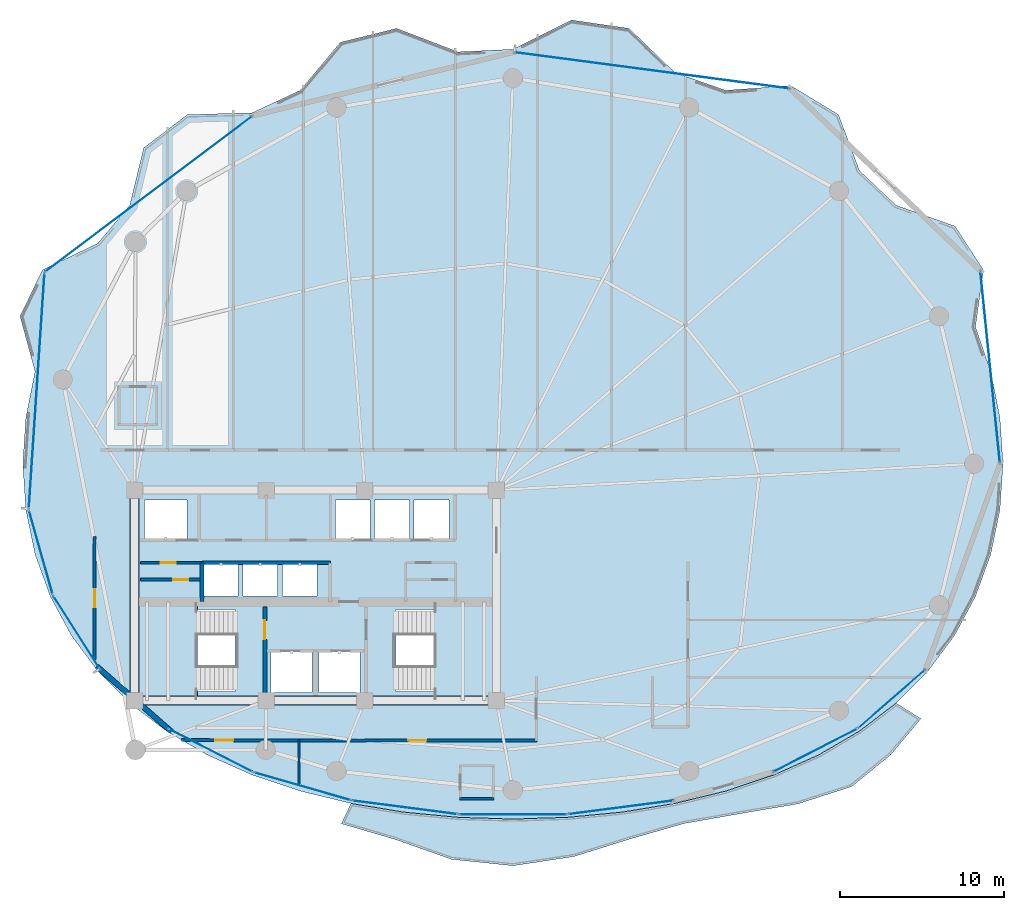
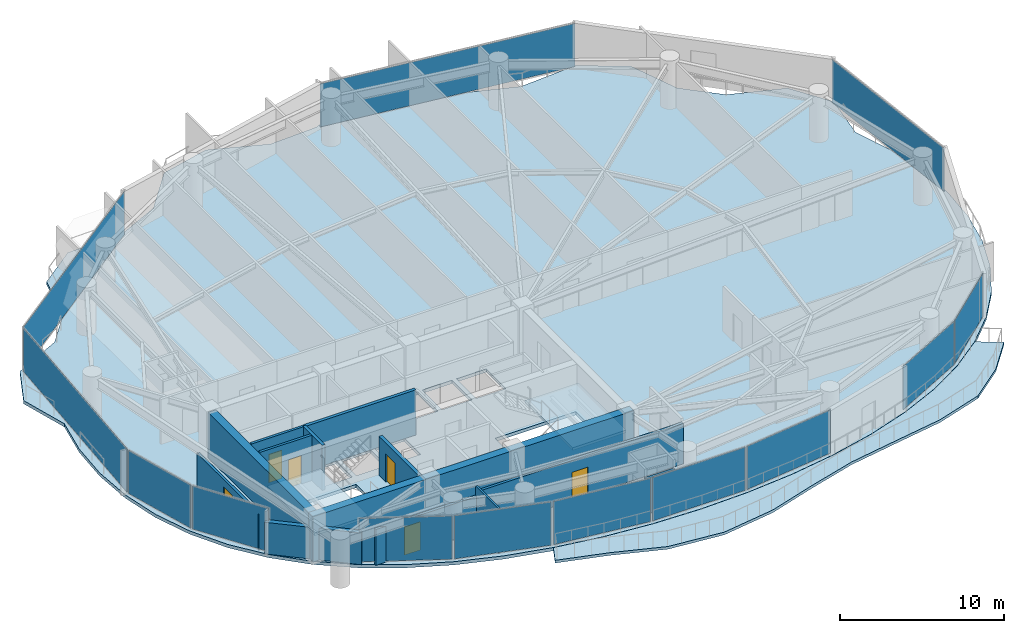
# One storey, part 24 of 30: 13 plates, 13 walls, 6 doors, 4 slabs, 6 openings, 15 elements without a shape of their own.
"""IFC4 building model written with IfcOpenShell, lengths in metres."""

from ifc_helpers import new_model, si_unit, direction, frame, frame_2d, origin, origin_2d, place, context, subcontext, project, spatial, polyline, rectangle, outline, extrude, material, layer, layer_set, type_object, element, fill, aggregate, save


model = new_model("IFC4")

# Units and contexts
model_context = context("Model", 3, precision=1e-05, world=origin(), true_north=direction((0.0, 1.0)))
body_context = subcontext(model_context, "Body", "Model", "MODEL_VIEW")
ifc_project = project(units=[si_unit("LENGTHUNIT", "METRE"), si_unit("AREAUNIT", "SQUARE_METRE"), si_unit("VOLUMEUNIT", "CUBIC_METRE"), si_unit("PLANEANGLEUNIT", "RADIAN"), si_unit("MASSUNIT", "GRAM", prefix="KILO")], contexts=[model_context])

# Site, building, storey
site_placement = place(None, origin())
site = spatial("IfcSite", under=ifc_project, at=site_placement, CompositionType="ELEMENT")
building_placement = place(site_placement, origin())
building = spatial("IfcBuilding", under=site, at=building_placement, Name="Kazevale Care Tower and Concert Hall", CompositionType="ELEMENT")
storey_placement = place(building_placement, frame((0.0, 0.0, 113.39990234375)))
storey = spatial("IfcBuildingStorey", under=building, at=storey_placement, Name="L29", CompositionType="ELEMENT", Elevation=113.39990234375)

# Curtain wall, plate
ifc_material_1 = material(Name="Aluminium 6063-T6 and Low-E Glass", Category="aluminium")
ifc_layer_1 = layer(ifc_material_1, 0.179931640625)
ifc_layer_set_1 = layer_set([ifc_layer_1], Name="Aluminium 6063-T6 and Low-E Glass")
curtain_wall_type_1 = type_object("IfcCurtainWallType", Name="Convex Recessed Sunroom Curtain Wall CW-3", PredefinedType="NOTDEFINED", material=ifc_layer_set_1)
curtain_wall_1_placement = place(storey_placement, origin())
curtain_wall_1 = element("IfcCurtainWall", 1, at=curtain_wall_1_placement, inside=storey, type_object=curtain_wall_type_1, Name="cw:L29:f14", PredefinedType="NOTDEFINED")
ifc_material_2 = material(Name="Low-E Laminated Glass", Category="glass")
ifc_layer_2 = layer(ifc_material_2, 0.028076171875)
ifc_layer_set_2 = layer_set([ifc_layer_2], Name="Low-E Laminated Glass")
plate_type_1 = type_object("IfcPlateType", Name="CW-3 Low-E Glazing Panel 28mm", PredefinedType="CURTAIN_PANEL", material=ifc_layer_set_2)
plate_1_placement = place(storey_placement, frame((22.8583984375, 54.402099609375, 0.0751953125), z_axis=(0.0, 0.0, 1.0), x_axis=(0.799400950952, 0.600797902474, 0.0)))
plate_1 = element("IfcPlate", 2, at=plate_1_placement, type_object=plate_type_1, Name="CW-3 panel 1.1", PredefinedType="CURTAIN_PANEL", context=body_context, shape_type="SweptSolid", body=[
    extrude(rectangle(XDim=15.685546875, YDim=0.028076171875, at=origin_2d()), origin(), (0.0, 0.0, 1.0), 3.2099609375),
])
aggregate(curtain_wall_1, [plate_1])

curtain_wall_2_placement = place(storey_placement, origin())
curtain_wall_2 = element("IfcCurtainWall", 3, at=curtain_wall_2_placement, inside=storey, type_object=curtain_wall_type_1, Name="cw:L29:f16", PredefinedType="NOTDEFINED")
plate_2_placement = place(storey_placement, frame((53.447509765625, 61.91357421875, 0.0751953125), z_axis=(0.0, 0.0, 1.0), x_axis=(0.991405823257, -0.130822374277, 0.0)))
plate_2 = element("IfcPlate", 4, at=plate_2_placement, type_object=plate_type_1, Name="CW-3 panel 1.1", PredefinedType="CURTAIN_PANEL", context=body_context, shape_type="SweptSolid", body=[
    extrude(rectangle(XDim=16.796630859375, YDim=0.028076171875, at=origin_2d()), origin(), (0.0, 0.0, 1.0), 3.2099609375),
])
aggregate(curtain_wall_2, [plate_2])

ifc_layer_3 = layer(ifc_material_1, 0.179931640625)
ifc_layer_set_3 = layer_set([ifc_layer_3], Name="Aluminium 6063-T6 and Low-E Glass")
curtain_wall_type_2 = type_object("IfcCurtainWallType", Name="Waist & Upper Residential Curtain Wall CW-4", PredefinedType="NOTDEFINED", material=ifc_layer_set_3)
curtain_wall_3_placement = place(storey_placement, origin())
curtain_wall_3 = element("IfcCurtainWall", 5, at=curtain_wall_3_placement, inside=storey, type_object=curtain_wall_type_2, Name="cw:L29:f11", PredefinedType="NOTDEFINED")
ifc_layer_4 = layer(ifc_material_2, 0.030029296875)
ifc_layer_set_4 = layer_set([ifc_layer_4], Name="Low-E Laminated Glass")
plate_type_2 = type_object("IfcPlateType", Name="CW-4 Low-E Glazing Panel 30mm", PredefinedType="CURTAIN_PANEL", material=ifc_layer_set_4)
plate_3_placement = place(storey_placement, frame((18.470458984375, 27.75244140625, 0.080078125), z_axis=(0.0, 0.0, 1.0), x_axis=(-0.537239193981, 0.843429930967, 0.0)))
plate_3 = element("IfcPlate", 6, at=plate_3_placement, type_object=plate_type_2, Name="CW-4 panel 1.1", PredefinedType="CURTAIN_PANEL", context=body_context, shape_type="SweptSolid", body=[
    extrude(rectangle(XDim=5.176513671875, YDim=0.030029296875, at=origin_2d()), origin(), (0.0, 0.0, 1.0), 3.199951171875),
])
aggregate(curtain_wall_3, [plate_3])

curtain_wall_4_placement = place(storey_placement, origin())
curtain_wall_4 = element("IfcCurtainWall", 7, at=curtain_wall_4_placement, inside=storey, type_object=curtain_wall_type_2, Name="cw:L29:f12", PredefinedType="NOTDEFINED")
plate_4_placement = place(storey_placement, frame((16.301513671875, 32.612548828125, 0.080078125), z_axis=(0.0, 0.0, 1.0), x_axis=(-0.271284948278, 0.962499078876, 0.0)))
plate_4 = element("IfcPlate", 8, at=plate_4_placement, type_object=plate_type_2, Name="CW-4 panel 1.1", PredefinedType="CURTAIN_PANEL", context=body_context, shape_type="SweptSolid", body=[
    extrude(rectangle(XDim=5.262451171875, YDim=0.030029296875, at=origin_2d()), origin(), (0.0, 0.0, 1.0), 3.199951171875),
])
aggregate(curtain_wall_4, [plate_4])

curtain_wall_5_placement = place(storey_placement, origin())
curtain_wall_5 = element("IfcCurtainWall", 9, at=curtain_wall_5_placement, inside=storey, type_object=curtain_wall_type_2, Name="cw:L29:f13", PredefinedType="NOTDEFINED")
plate_5_placement = place(storey_placement, frame((16.047607421875, 42.43359375, 0.080078125), z_axis=(0.0, 0.0, 1.0), x_axis=(0.06662002475, 0.997778418439, 0.0)))
plate_5 = element("IfcPlate", 10, at=plate_5_placement, type_object=plate_type_2, Name="CW-4 panel 1.1", PredefinedType="CURTAIN_PANEL", context=body_context, shape_type="SweptSolid", body=[
    extrude(rectangle(XDim=14.295166015625, YDim=0.030029296875, at=origin_2d()), origin(), (0.0, 0.0, 1.0), 3.199951171875),
])
aggregate(curtain_wall_5, [plate_5])

curtain_wall_6_placement = place(storey_placement, origin())
curtain_wall_6 = element("IfcCurtainWall", 11, at=curtain_wall_6_placement, inside=storey, type_object=curtain_wall_type_2, Name="cw:L29:f18", PredefinedType="NOTDEFINED")
plate_6_placement = place(storey_placement, frame((74.01904296875, 43.868896484375, 0.080078125), z_axis=(0.0, 0.0, 1.0), x_axis=(0.101869730126, -0.994797747326, 0.0)))
plate_6 = element("IfcPlate", 12, at=plate_6_placement, type_object=plate_type_2, Name="CW-4 panel 1.1", PredefinedType="CURTAIN_PANEL", context=body_context, shape_type="SweptSolid", body=[
    extrude(rectangle(XDim=11.639404296875, YDim=0.030029296875, at=origin_2d()), origin(), (0.0, 0.0, 1.0), 3.199951171875),
])
aggregate(curtain_wall_6, [plate_6])

ifc_layer_5 = layer(ifc_material_1, 0.179931640625)
ifc_layer_set_5 = layer_set([ifc_layer_5], Name="Aluminium 6063-T6 and Low-E Glass")
curtain_wall_type_3 = type_object("IfcCurtainWallType", Name="Sheltered Concave Balcony Curtain Wall CW-5", PredefinedType="NOTDEFINED", material=ifc_layer_set_5)
curtain_wall_7_placement = place(storey_placement, origin())
curtain_wall_7 = element("IfcCurtainWall", 13, at=curtain_wall_7_placement, inside=storey, type_object=curtain_wall_type_3, Name="cw:L29:f02", PredefinedType="NOTDEFINED")
ifc_layer_6 = layer(ifc_material_2, 0.02587890625)
ifc_layer_set_6 = layer_set([ifc_layer_6], Name="Low-E Laminated Glass")
plate_type_3 = type_object("IfcPlateType", Name="CW-5 Low-E Glazing Panel 26mm", PredefinedType="CURTAIN_PANEL", material=ifc_layer_set_6)
plate_7_placement = place(storey_placement, frame((68.033447265625, 23.699951171875, 0.0751953125), z_axis=(0.0, 0.0, 1.0), x_axis=(-0.753062779437, -0.657948668382, 0.0)))
plate_7 = element("IfcPlate", 14, at=plate_7_placement, type_object=plate_type_3, Name="CW-5 panel 1.1", PredefinedType="CURTAIN_PANEL", context=body_context, shape_type="SweptSolid", body=[
    extrude(rectangle(XDim=5.32763671875, YDim=0.02587890625, at=origin_2d()), origin(), (0.0, 0.0, 1.0), 3.2099609375),
])
aggregate(curtain_wall_7, [plate_7])

curtain_wall_8_placement = place(storey_placement, origin())
curtain_wall_8 = element("IfcCurtainWall", 15, at=curtain_wall_8_placement, inside=storey, type_object=curtain_wall_type_3, Name="cw:L29:f03", PredefinedType="NOTDEFINED")
plate_8_placement = place(storey_placement, frame((63.3798828125, 20.571533203125, 0.0751953125), z_axis=(0.0, 0.0, 1.0), x_axis=(-0.890126646051, -0.455713236575, 0.0)))
plate_8 = element("IfcPlate", 16, at=plate_8_placement, type_object=plate_type_3, Name="CW-5 panel 1.1", PredefinedType="CURTAIN_PANEL", context=body_context, shape_type="SweptSolid", body=[
    extrude(rectangle(XDim=5.671630859375, YDim=0.02587890625, at=origin_2d()), origin(), (0.0, 0.0, 1.0), 3.2099609375),
])
aggregate(curtain_wall_8, [plate_8])

curtain_wall_9_placement = place(storey_placement, origin())
curtain_wall_9 = element("IfcCurtainWall", 17, at=curtain_wall_9_placement, inside=storey, type_object=curtain_wall_type_3, Name="cw:L29:f05", PredefinedType="NOTDEFINED")
plate_9_placement = place(storey_placement, frame((51.5654296875, 17.1044921875, 0.0751953125), z_axis=(0.0, 0.0, 1.0), x_axis=(-0.991685519364, -0.12868500567, 0.0)))
plate_9 = element("IfcPlate", 18, at=plate_9_placement, type_object=plate_type_3, Name="CW-5 panel 1.1", PredefinedType="CURTAIN_PANEL", context=body_context, shape_type="SweptSolid", body=[
    extrude(rectangle(XDim=6.38525390625, YDim=0.02587890625, at=origin_2d()), origin(), (0.0, 0.0, 1.0), 3.2099609375),
])
aggregate(curtain_wall_9, [plate_9])

curtain_wall_10_placement = place(storey_placement, origin())
curtain_wall_10 = element("IfcCurtainWall", 19, at=curtain_wall_10_placement, inside=storey, type_object=curtain_wall_type_3, Name="cw:L29:f06", PredefinedType="NOTDEFINED")
plate_10_placement = place(storey_placement, frame((45.0, 16.68408203125, 0.0751953125), z_axis=(0.0, 0.0, 1.0), x_axis=(-1.0, 0.0, 0.0)))
plate_10 = element("IfcPlate", 20, at=plate_10_placement, type_object=plate_type_3, Name="CW-5 panel 1.1", PredefinedType="CURTAIN_PANEL", context=body_context, shape_type="SweptSolid", body=[
    extrude(rectangle(XDim=6.5, YDim=0.02587890625, at=origin_2d()), origin(), (0.0, 0.0, 1.0), 3.2099609375),
])
aggregate(curtain_wall_10, [plate_10])

curtain_wall_11_placement = place(storey_placement, origin())
curtain_wall_11 = element("IfcCurtainWall", 21, at=curtain_wall_11_placement, inside=storey, type_object=curtain_wall_type_3, Name="cw:L29:f07", PredefinedType="NOTDEFINED")
plate_11_placement = place(storey_placement, frame((38.4345703125, 17.1044921875, 0.0751953125), z_axis=(0.0, 0.0, 1.0), x_axis=(-0.991685519364, 0.12868500567, 0.0)))
plate_11 = element("IfcPlate", 22, at=plate_11_placement, type_object=plate_type_3, Name="CW-5 panel 1.1", PredefinedType="CURTAIN_PANEL", context=body_context, shape_type="SweptSolid", body=[
    extrude(rectangle(XDim=6.38525390625, YDim=0.02587890625, at=origin_2d()), origin(), (0.0, 0.0, 1.0), 3.2099609375),
])
aggregate(curtain_wall_11, [plate_11])

curtain_wall_12_placement = place(storey_placement, origin())
curtain_wall_12 = element("IfcCurtainWall", 23, at=curtain_wall_12_placement, inside=storey, type_object=curtain_wall_type_3, Name="cw:L29:f08", PredefinedType="NOTDEFINED")
plate_12_placement = place(storey_placement, frame((32.202392578125, 18.385009765625, 0.0751953125), z_axis=(0.0, 0.0, 1.0), x_axis=(-0.961074102639, 0.276290733172, 0.0)))
plate_12 = element("IfcPlate", 24, at=plate_12_placement, type_object=plate_type_3, Name="CW-5 panel 1.1", PredefinedType="CURTAIN_PANEL", context=body_context, shape_type="SweptSolid", body=[
    extrude(rectangle(XDim=6.075439453125, YDim=0.02587890625, at=origin_2d()), origin(), (0.0, 0.0, 1.0), 3.2099609375),
])
aggregate(curtain_wall_12, [plate_12])

curtain_wall_13_placement = place(storey_placement, origin())
curtain_wall_13 = element("IfcCurtainWall", 25, at=curtain_wall_13_placement, inside=storey, type_object=curtain_wall_type_3, Name="cw:L29:f09", PredefinedType="NOTDEFINED")
plate_13_placement = place(storey_placement, frame((26.6201171875, 20.571533203125, 0.0751953125), z_axis=(0.0, 0.0, 1.0), x_axis=(-0.890126646051, 0.455713236575, 0.0)))
plate_13 = element("IfcPlate", 26, at=plate_13_placement, type_object=plate_type_3, Name="CW-5 panel 1.1", PredefinedType="CURTAIN_PANEL", context=body_context, shape_type="SweptSolid", body=[
    extrude(rectangle(XDim=5.671630859375, YDim=0.02587890625, at=origin_2d()), origin(), (0.0, 0.0, 1.0), 3.2099609375),
])
aggregate(curtain_wall_13, [plate_13])

# Slab
ifc_material_3 = material(Name="Concrete C40", Category="concrete")
ifc_layer_7 = layer(ifc_material_3, 0.199951171875)
ifc_layer_set_7 = layer_set([ifc_layer_7], Name="Concrete C40")
slab_type_1 = type_object("IfcSlabType", Name="Sinusoidal Concave Balcony Slab 200", PredefinedType="USERDEFINED", material=ifc_layer_set_7)
slab_1_placement = place(storey_placement, frame((0.0, 0.0, -0.199951171875)))
element("IfcSlab", 27, at=slab_1_placement, inside=storey, type_object=slab_type_1, Name="slab:L29:bal", ObjectType="BALCONY", PredefinedType="USERDEFINED", context=body_context, shape_type="SweptSolid", body=[
    extrude(outline(polyline([(69.811279296875, 22.501708984375), (67.960205078125, 20.29150390625), (65.59619140625, 18.37060546875), (62.32666015625, 17.3203125), (58.822021484375, 16.72509765625), (55.42333984375, 16.12890625), (52.140625, 15.191162109375), (48.707275390625, 14.11572265625), (45.0, 13.556884765625), (41.2666015625, 13.94775390625), (37.848388671875, 15.156494140625), (34.56982421875, 16.114501953125), (35.155517578125, 17.343505859375), (35.15673828125, 17.34326171875), (38.368408203125, 16.81396484375), (41.6630859375, 16.49951171875), (45.0, 16.39501953125), (48.3369140625, 16.49951171875), (51.631591796875, 16.81396484375), (54.84326171875, 17.34326171875), (57.93115234375, 18.09375), (60.8564453125, 19.07275390625), (63.582275390625, 20.28759765625), (66.07470703125, 21.74365234375), (68.302001953125, 23.442626953125), (68.302978515625, 23.44384765625), (69.811279296875, 22.501708984375)])), origin(), (0.0, 0.0, 1.0), 0.199951171875),
])

# Stair, slab
stair_type = type_object("IfcStairType", Name="Exit Stair Assembly ST1-Z2", PredefinedType="HALF_TURN_STAIR", material=ifc_material_3)
stair_1_placement = place(storey_placement, origin())
stair_1 = element("IfcStair", 28, at=stair_1_placement, inside=storey, type_object=stair_type, Name="stair:L29:ST1", PredefinedType="HALF_TURN_STAIR")
ifc_layer_8 = layer(ifc_material_3, 0.199951171875)
ifc_layer_set_8 = layer_set([ifc_layer_8], Name="Concrete C40")
slab_type_2 = type_object("IfcSlabType", Name="Stair Half-Landing Slab ST1-Z2", PredefinedType="LANDING", material=ifc_layer_set_8)
slab_2_placement = place(storey_placement, frame((0.0, 0.0, 1.60009765625)))
slab_2 = element("IfcSlab", 29, at=slab_2_placement, type_object=slab_type_2, Name="ST1-Z2 landing 1", PredefinedType="LANDING", context=body_context, shape_type="SweptSolid", body=[
    extrude(outline(polyline([(22.050048828125, 23.699951171875), (25.81005859375, 23.699951171875), (25.81005859375, 29.5), (22.050048828125, 29.5), (22.050048828125, 23.699951171875)])), origin(), (0.0, 0.0, 1.0), 0.199951171875),
])
aggregate(stair_1, [slab_2])

stair_2_placement = place(storey_placement, origin())
stair_2 = element("IfcStair", 30, at=stair_2_placement, inside=storey, type_object=stair_type, Name="stair:L29:ST2", PredefinedType="HALF_TURN_STAIR")
slab_3_placement = place(storey_placement, frame((0.0, 0.0, 1.60009765625)))
slab_3 = element("IfcSlab", 31, at=slab_3_placement, type_object=slab_type_2, Name="ST1-Z2 landing 1", PredefinedType="LANDING", context=body_context, shape_type="SweptSolid", body=[
    extrude(outline(polyline([(40.18994140625, 23.699951171875), (43.949951171875, 23.699951171875), (43.949951171875, 29.5), (40.18994140625, 29.5), (40.18994140625, 23.699951171875)])), origin(), (0.0, 0.0, 1.0), 0.199951171875),
])
aggregate(stair_2, [slab_3])

# Slab
ifc_layer_9 = layer(ifc_material_3, 0.239990234375)
ifc_layer_set_9 = layer_set([ifc_layer_9], Name="Concrete C40")
slab_type_3 = type_object("IfcSlabType", Name="Tower Typical Floor Slab 240", PredefinedType="FLOOR", material=ifc_layer_set_9)
slab_4_placement = place(storey_placement, frame((0.0, 0.0, -0.239990234375)))
element("IfcSlab", 32, at=slab_4_placement, inside=storey, type_object=slab_type_3, Name="slab:L29:tw:1", PredefinedType="FLOOR", context=body_context, shape_type="SweptSolid", body=[
    extrude(outline(polyline([(74.800048828125, 38.0), (74.612548828125, 40.821533203125), (74.052978515625, 43.607421875), (73.127685546875, 46.322998046875), (73.605712890625, 49.77978515625), (71.883544921875, 52.444580078125), (68.298583984375, 53.7119140625), (66.07177734375, 55.819091796875), (64.7958984375, 59.226806640625), (61.89208984375, 60.988525390625), (57.9296875, 60.704345703125), (54.84228515625, 61.785888671875), (52.06494140625, 64.46923828125), (48.554931640625, 64.979248046875), (45.0, 63.199951171875), (41.66357421875, 63.04150390625), (37.93505859375, 64.46923828125), (34.513671875, 63.62646484375), (32.0703125, 60.704345703125), (29.1455078125, 59.33740234375), (25.2041015625, 59.226806640625), (22.54931640625, 57.197998046875), (21.701416015625, 53.7119140625), (19.767578125, 51.4072265625), (16.394287109375, 49.77978515625), (15.03173828125, 46.967041015625), (15.947021484375, 43.607421875), (15.387451171875, 40.821533203125), (15.199951171875, 38.0), (15.387451171875, 35.197265625), (15.947021484375, 32.490234375), (16.872314453125, 29.92919921875), (18.151123046875, 27.551513671875), (19.767578125, 25.384521484375), (21.701416015625, 23.446533203125), (23.92822265625, 21.747802734375), (26.419921875, 20.2919921875), (29.1455078125, 19.077392578125), (32.0703125, 18.098388671875), (35.15771484375, 17.34814453125), (38.368896484375, 16.819091796875), (41.66357421875, 16.50439453125), (45.0, 16.39990234375), (48.33642578125, 16.50439453125), (51.631103515625, 16.819091796875), (54.84228515625, 17.34814453125), (57.9296875, 18.098388671875), (60.8544921875, 19.077392578125), (63.580078125, 20.2919921875), (66.07177734375, 21.747802734375), (68.298583984375, 23.446533203125), (70.232421875, 25.384521484375), (71.848876953125, 27.551513671875), (73.127685546875, 29.92919921875), (74.052978515625, 32.490234375), (74.612548828125, 35.197265625), (74.800048828125, 38.0)]), holes=[polyline([(22.449951171875, 24.14990234375), (28.110107421875, 24.14990234375), (28.110107421875, 29.14990234375), (22.449951171875, 29.14990234375), (22.449951171875, 24.14990234375)]), polyline([(37.889892578125, 24.14990234375), (43.550048828125, 24.14990234375), (43.550048828125, 29.14990234375), (37.889892578125, 29.14990234375), (37.889892578125, 24.14990234375)]), polyline([(30.300048828125, 24.10009765625), (32.800048828125, 24.10009765625), (32.800048828125, 26.60009765625), (30.300048828125, 26.60009765625), (30.300048828125, 24.10009765625)]), polyline([(33.199951171875, 24.10009765625), (35.699951171875, 24.10009765625), (35.699951171875, 26.60009765625), (33.199951171875, 26.60009765625), (33.199951171875, 24.10009765625)]), polyline([(22.60009765625, 33.39990234375), (25.199951171875, 33.39990234375), (25.199951171875, 35.800048828125), (22.60009765625, 35.800048828125), (22.60009765625, 33.39990234375)]), polyline([(34.199951171875, 33.39990234375), (36.300048828125, 33.39990234375), (36.300048828125, 35.800048828125), (34.199951171875, 35.800048828125), (34.199951171875, 33.39990234375)]), polyline([(36.60009765625, 33.39990234375), (38.699951171875, 33.39990234375), (38.699951171875, 35.800048828125), (36.60009765625, 35.800048828125), (36.60009765625, 33.39990234375)]), polyline([(39.0, 33.39990234375), (41.10009765625, 33.39990234375), (41.10009765625, 35.800048828125), (39.0, 35.800048828125), (39.0, 33.39990234375)]), polyline([(26.199951171875, 29.949951171875), (28.300048828125, 29.949951171875), (28.300048828125, 31.949951171875), (26.199951171875, 31.949951171875), (26.199951171875, 29.949951171875)]), polyline([(28.60009765625, 29.949951171875), (30.699951171875, 29.949951171875), (30.699951171875, 31.949951171875), (28.60009765625, 31.949951171875), (28.60009765625, 29.949951171875)]), polyline([(31.0, 29.949951171875), (33.10009765625, 29.949951171875), (33.10009765625, 31.949951171875), (31.0, 31.949951171875), (31.0, 29.949951171875)])]), origin(), (0.0, 0.0, 1.0), 0.239990234375),
])

# Walls
ifc_material_4 = material(Name="Acoustic Gypsum on Steel Stud", Category="steel")
ifc_layer_10 = layer(ifc_material_4, 0.139892578125)
ifc_layer_set_10 = layer_set([ifc_layer_10], Name="Acoustic Gypsum on Steel Stud")
wall_type_1 = type_object("IfcWallType", Name="Acoustic Care & Suite Partition 140", PredefinedType="PARTITIONING", material=ifc_layer_set_10)
wall_1_placement = place(storey_placement, frame((32.0, 21.205078125, 0.0), z_axis=(0.0, 0.0, 1.0), x_axis=(0.0, -1.0, 0.0)))
element("IfcWall", 33, at=wall_1_placement, inside=storey, type_object=wall_type_1, Name="wall:L29:auto_031", PredefinedType="PARTITIONING", context=body_context, shape_type="SweptSolid", body=[
    extrude(rectangle(XDim=2.751953125, YDim=0.139892578125, at=frame_2d((1.3759765625, 0.0))), origin(), (0.0, 0.0, 1.0), 3.360107421875),
])
ifc_material_5 = material(Name="Concrete C60", Category="concrete")
ifc_layer_11 = layer(ifc_material_5, 0.550048828125)
ifc_layer_set_11 = layer_set([ifc_layer_11], Name="Concrete C60")
wall_type_2 = type_object("IfcWallType", Name="Core Shear Wall 550 C60", PredefinedType="SHEAR", material=ifc_layer_set_11)
wall_2_placement = place(storey_placement, frame((21.72509765625, 23.60009765625, 0.0), z_axis=(0.0, 0.0, 1.0), x_axis=(1.0, 0.0, 0.0)))
element("IfcWall", 34, at=wall_2_placement, inside=storey, type_object=wall_type_2, Name="wall:L29:core:S", PredefinedType="SHEAR", context=body_context, shape_type="SweptSolid", body=[
    extrude(rectangle(XDim=22.5498046875, YDim=0.550048828125, at=frame_2d((11.27490234375, 0.0))), origin(), (0.0, 0.0, 1.0), 3.360107421875),
])
wall_3_placement = place(storey_placement, frame((22.0, 23.875, 0.0), z_axis=(0.0, 0.0, 1.0), x_axis=(0.0, 1.0, 0.0)))
element("IfcWall", 35, at=wall_3_placement, inside=storey, type_object=wall_type_2, Name="wall:L29:core:W", PredefinedType="SHEAR", context=body_context, shape_type="SweptSolid", body=[
    extrude(rectangle(XDim=12.25, YDim=0.550048828125, at=frame_2d((6.125, 0.0))), origin(), (0.0, 0.0, 1.0), 3.360107421875),
])
ifc_layer_12 = layer(ifc_material_3, 0.219970703125)
ifc_layer_set_12 = layer_set([ifc_layer_12], Name="Concrete C40")
wall_type_3 = type_object("IfcWallType", Name="Elevator Hoistway Shaft Wall 220", PredefinedType="SOLIDWALL", material=ifc_layer_set_12)
wall_4_placement = place(storey_placement, frame((26.10009765625, 29.6201171875, 0.0), z_axis=(0.0, 0.0, 1.0), x_axis=(0.0, 1.0, 0.0)))
element("IfcWall", 36, at=wall_4_placement, inside=storey, type_object=wall_type_3, Name="wall:L29:c_ph_w", PredefinedType="SOLIDWALL", context=body_context, shape_type="SweptSolid", body=[
    extrude(rectangle(XDim=2.35986328125, YDim=0.219970703125, at=frame_2d((1.179931640625, 0.0))), origin(), (0.0, 0.0, 1.0), 3.360107421875),
])
wall_5_placement = place(storey_placement, frame((26.10009765625, 31.97998046875, 0.0), z_axis=(0.0, 0.0, 1.0), x_axis=(1.0, 0.0, 0.0)))
element("IfcWall", 37, at=wall_5_placement, inside=storey, type_object=wall_type_3, Name="wall:L29:c_ph_n", PredefinedType="SOLIDWALL", context=body_context, shape_type="SweptSolid", body=[
    extrude(rectangle(XDim=7.7998046875, YDim=0.219970703125, at=frame_2d((3.89990234375, 0.0))), origin(), (0.0, 0.0, 1.0), 3.360107421875),
])

# Wall, opening, door
ifc_material_6 = material(Name="Concrete C40 and Acoustic Gypsum", Category="concrete")
ifc_layer_13 = layer(ifc_material_6, 0.179931640625)
ifc_layer_set_13 = layer_set([ifc_layer_13], Name="Concrete C40 and Acoustic Gypsum")
wall_type_4 = type_object("IfcWallType", Name="Fire-Rated Corridor & Party Wall 180", PredefinedType="PARTITIONING", material=ifc_layer_set_13)
wall_6_placement = place(storey_placement, frame((22.35009765625, 30.949951171875, 0.0), z_axis=(0.0, 0.0, 1.0), x_axis=(1.0, 0.0, 0.0)))
wall_6 = element("IfcWall", 38, at=wall_6_placement, inside=storey, type_object=wall_type_4, Name="wall:L29:kc_wm", PredefinedType="PARTITIONING", context=body_context, shape_type="SweptSolid", body=[
    extrude(rectangle(XDim=3.75, YDim=0.179931640625, at=frame_2d((1.875, 0.0))), origin(), (0.0, 0.0, 1.0), 3.360107421875),
])
opening_1_placement = place(wall_6_placement, frame((1.988037109375, 0.0, 0.0)))
opening_1 = element("IfcOpeningElement", 39, at=opening_1_placement, cuts=wall_6, Name="Opening ID-900", PredefinedType="OPENING", context=body_context, shape_type="SweptSolid", body=[
    extrude(rectangle(XDim=0.919921875, YDim=2.10009765625, at=frame_2d((0.4599609375, 1.050048828125))), frame((0.0, 0.099853515625, 0.0), z_axis=(0.0, -1.0, 0.0), x_axis=(1.0, 0.0, 0.0)), (0.0, 0.0, 1.0), 0.199951171875),
])
ifc_material_7 = material(Name="Oak Timber Fire Leaf", Category="wood")
door_type_1 = type_object("IfcDoorType", Name="Bathroom & Service Door 920x2100", OperationType="NOTDEFINED", PredefinedType="DOOR", material=ifc_material_7)
door_1_placement = place(opening_1_placement, origin())
door_1 = element("IfcDoor", 40, at=door_1_placement, inside=storey, type_object=door_type_1, Name="door:L29:d_kcwb", OperationType="SINGLE_SWING_RIGHT", OverallHeight=2.10009765625, OverallWidth=0.919921875, PredefinedType="DOOR", context=body_context, shape_type="SweptSolid", body=[
    extrude(rectangle(XDim=0.919921875, YDim=2.10009765625, at=frame_2d((0.4599609375, 1.050048828125))), frame((0.0, 0.02490234375, 0.0), z_axis=(0.0, -1.0, 0.0), x_axis=(1.0, 0.0, 0.0)), (0.0, 0.0, 1.0), 0.050048828125),
])
fill(opening_1, door_1)

wall_7_placement = place(storey_placement, frame((22.35009765625, 31.97998046875, 0.0), z_axis=(0.0, 0.0, 1.0), x_axis=(1.0, 0.0, 0.0)))
wall_7 = element("IfcWall", 41, at=wall_7_placement, inside=storey, type_object=wall_type_4, Name="wall:L29:kc_wn", PredefinedType="PARTITIONING", context=body_context, shape_type="SweptSolid", body=[
    extrude(rectangle(XDim=3.75, YDim=0.179931640625, at=frame_2d((1.875, 0.0))), origin(), (0.0, 0.0, 1.0), 3.360107421875),
])
opening_2_placement = place(wall_7_placement, frame((1.238037109375, 0.0, 0.0)))
opening_2 = element("IfcOpeningElement", 42, at=opening_2_placement, cuts=wall_7, Name="Opening ID-900", PredefinedType="OPENING", context=body_context, shape_type="SweptSolid", body=[
    extrude(rectangle(XDim=0.919921875, YDim=2.10009765625, at=frame_2d((0.4599609375, 1.050048828125))), frame((0.0, 0.099853515625, 0.0), z_axis=(0.0, -1.0, 0.0), x_axis=(1.0, 0.0, 0.0)), (0.0, 0.0, 1.0), 0.199951171875),
])
door_2_placement = place(opening_2_placement, origin())
door_2 = element("IfcDoor", 43, at=door_2_placement, inside=storey, type_object=door_type_1, Name="door:L29:d_kcwt", OperationType="SINGLE_SWING_LEFT", OverallHeight=2.10009765625, OverallWidth=0.919921875, PredefinedType="DOOR", context=body_context, shape_type="SweptSolid", body=[
    extrude(rectangle(XDim=0.919921875, YDim=2.10009765625, at=frame_2d((0.4599609375, 1.050048828125))), frame((0.0, 0.02490234375, 0.0), z_axis=(0.0, -1.0, 0.0), x_axis=(1.0, 0.0, 0.0)), (0.0, 0.0, 1.0), 0.050048828125),
])
fill(opening_2, door_2)

wall_8_placement = place(storey_placement, frame((32.06494140625, 21.175048828125, 0.0), z_axis=(0.0, 0.0, 1.0), x_axis=(-0.999996512042, 0.002641193551, 0.0)))
wall_8 = element("IfcWall", 44, at=wall_8_placement, inside=storey, type_object=wall_type_4, Name="wall:L29:auto_017", PredefinedType="PARTITIONING", context=body_context, shape_type="SweptSolid", body=[
    extrude(rectangle(XDim=7.2099609375, YDim=0.179931640625, at=frame_2d((3.60498046875, 0.0))), origin(), (0.0, 0.0, 1.0), 2.656982421875),
])
opening_3_placement = place(wall_8_placement, frame((4.054931640625, 0.0, 0.0)))
opening_3 = element("IfcOpeningElement", 45, at=opening_3_placement, cuts=wall_8, Name="Opening ID-1100", PredefinedType="OPENING", context=body_context, shape_type="SweptSolid", body=[
    extrude(rectangle(XDim=1.10009765625, YDim=2.10009765625, at=frame_2d((0.550048828125, 1.050048828125))), frame((0.0, 0.099853515625, 0.0), z_axis=(0.0, -1.0, 0.0), x_axis=(1.0, 0.0, 0.0)), (0.0, 0.0, 1.0), 0.199951171875),
])
door_type_2 = type_object("IfcDoorType", Name="Care Bedroom Accessible Door 1100x2100", OperationType="NOTDEFINED", PredefinedType="DOOR", material=ifc_material_7)
door_3_placement = place(opening_3_placement, origin())
door_3 = element("IfcDoor", 46, at=door_3_placement, inside=storey, type_object=door_type_2, Name="door:L29:ad_017", OperationType="SINGLE_SWING_LEFT", OverallHeight=2.10009765625, OverallWidth=1.10009765625, PredefinedType="DOOR", context=body_context, shape_type="SweptSolid", body=[
    extrude(rectangle(XDim=1.10009765625, YDim=2.10009765625, at=frame_2d((0.550048828125, 1.050048828125))), frame((0.0, 0.02490234375, 0.0), z_axis=(0.0, -1.0, 0.0), x_axis=(1.0, 0.0, 0.0)), (0.0, 0.0, 1.0), 0.050048828125),
])
fill(opening_3, door_3)

wall_9_placement = place(storey_placement, frame((46.455078125, 21.175048828125, 0.0), z_axis=(0.0, 0.0, 1.0), x_axis=(-1.0, 0.0, 0.0)))
wall_9 = element("IfcWall", 47, at=wall_9_placement, inside=storey, type_object=wall_type_4, Name="wall:L29:auto_018", PredefinedType="PARTITIONING", context=body_context, shape_type="SweptSolid", body=[
    extrude(rectangle(XDim=14.52001953125, YDim=0.179931640625, at=frame_2d((7.260009765625, 0.0))), origin(), (0.0, 0.0, 1.0), 2.99609375),
])
opening_4_placement = place(wall_9_placement, frame((6.7099609375, 0.0, 0.0)))
opening_4 = element("IfcOpeningElement", 48, at=opening_4_placement, cuts=wall_9, Name="Opening ID-1100", PredefinedType="OPENING", context=body_context, shape_type="SweptSolid", body=[
    extrude(rectangle(XDim=1.10009765625, YDim=2.10009765625, at=frame_2d((0.550048828125, 1.050048828125))), frame((0.0, 0.099853515625, 0.0), z_axis=(0.0, -1.0, 0.0), x_axis=(1.0, 0.0, 0.0)), (0.0, 0.0, 1.0), 0.199951171875),
])
door_4_placement = place(opening_4_placement, origin())
door_4 = element("IfcDoor", 49, at=door_4_placement, inside=storey, type_object=door_type_2, Name="door:L29:ad_018", OperationType="SINGLE_SWING_LEFT", OverallHeight=2.10009765625, OverallWidth=1.10009765625, PredefinedType="DOOR", context=body_context, shape_type="SweptSolid", body=[
    extrude(rectangle(XDim=1.10009765625, YDim=2.10009765625, at=frame_2d((0.550048828125, 1.050048828125))), frame((0.0, 0.02490234375, 0.0), z_axis=(0.0, -1.0, 0.0), x_axis=(1.0, 0.0, 0.0)), (0.0, 0.0, 1.0), 0.050048828125),
])
fill(opening_4, door_4)

wall_10_placement = place(storey_placement, frame((19.574951171875, 26.0849609375, 0.0), z_axis=(0.0, 0.0, 1.0), x_axis=(0.0, 1.0, 0.0)))
wall_10 = element("IfcWall", 50, at=wall_10_placement, inside=storey, type_object=wall_type_4, Name="wall:L29:auto_019", PredefinedType="PARTITIONING", context=body_context, shape_type="SweptSolid", body=[
    extrude(rectangle(XDim=7.47998046875, YDim=0.179931640625, at=frame_2d((3.739990234375, 0.0))), origin(), (0.0, 0.0, 1.0), 2.656982421875),
])
opening_5_placement = place(wall_10_placement, frame((3.18994140625, 0.0, 0.0)))
opening_5 = element("IfcOpeningElement", 51, at=opening_5_placement, cuts=wall_10, Name="Opening ID-1100", PredefinedType="OPENING", context=body_context, shape_type="SweptSolid", body=[
    extrude(rectangle(XDim=1.10009765625, YDim=2.10009765625, at=frame_2d((0.550048828125, 1.050048828125))), frame((0.0, 0.099853515625, 0.0), z_axis=(0.0, -1.0, 0.0), x_axis=(1.0, 0.0, 0.0)), (0.0, 0.0, 1.0), 0.199951171875),
])
door_5_placement = place(opening_5_placement, origin())
door_5 = element("IfcDoor", 52, at=door_5_placement, inside=storey, type_object=door_type_2, Name="door:L29:ad_019", OperationType="SINGLE_SWING_LEFT", OverallHeight=2.10009765625, OverallWidth=1.10009765625, PredefinedType="DOOR", context=body_context, shape_type="SweptSolid", body=[
    extrude(rectangle(XDim=1.10009765625, YDim=2.10009765625, at=frame_2d((0.550048828125, 1.050048828125))), frame((0.0, 0.02490234375, 0.0), z_axis=(0.0, -1.0, 0.0), x_axis=(1.0, 0.0, 0.0)), (0.0, 0.0, 1.0), 0.050048828125),
])
fill(opening_5, door_5)

# Wall
ifc_layer_14 = layer(ifc_material_4, 0.159912109375)
ifc_layer_set_14 = layer_set([ifc_layer_14], Name="Acoustic Gypsum on Steel Stud")
wall_type_5 = type_object("IfcWallType", Name="Moisture-Resistant Bathroom Plumbing Wall 160", PredefinedType="PLUMBINGWALL", material=ifc_layer_set_14)
wall_11_placement = place(storey_placement, frame((41.760009765625, 17.6298828125, 0.0), z_axis=(0.0, 0.0, 1.0), x_axis=(1.0, 0.0, 0.0)))
element("IfcWall", 53, at=wall_11_placement, inside=storey, type_object=wall_type_5, Name="wall:L29:sb2_ens_ws", PredefinedType="PLUMBINGWALL", context=body_context, shape_type="SweptSolid", body=[
    extrude(rectangle(XDim=2.080078125, YDim=0.159912109375, at=frame_2d((1.0400390625, 0.0))), origin(), (0.0, 0.0, 1.0), 2.656982421875),
])

# Wall, opening, door
ifc_layer_15 = layer(ifc_material_3, 0.25)
ifc_layer_set_15 = layer_set([ifc_layer_15], Name="Concrete C40")
wall_type_6 = type_object("IfcWallType", Name="Pressurized Stair Shaft Wall 250", PredefinedType="SOLIDWALL", material=ifc_layer_set_15)
wall_12_placement = place(storey_placement, frame((29.919921875, 23.89990234375, 0.0), z_axis=(0.0, 0.0, 1.0), x_axis=(0.0, 1.0, 0.0)))
wall_12 = element("IfcWall", 54, at=wall_12_placement, inside=storey, type_object=wall_type_6, Name="wall:L29:c_st1_e", PredefinedType="SOLIDWALL", context=body_context, shape_type="SweptSolid", body=[
    extrude(rectangle(XDim=5.400146484375, YDim=0.25, at=frame_2d((2.7001953125, 0.0))), origin(), (0.0, 0.0, 1.0), 2.89013671875),
])
opening_6_placement = place(wall_12_placement, frame((3.4208984375, 0.0, 0.0)))
opening_6 = element("IfcOpeningElement", 55, at=opening_6_placement, cuts=wall_12, Name="Opening FD-90", PredefinedType="OPENING", context=body_context, shape_type="SweptSolid", body=[
    extrude(rectangle(XDim=1.14990234375, YDim=2.10009765625, at=frame_2d((0.574951171875, 1.050048828125))), frame((0.0, 0.135009765625, 0.0), z_axis=(0.0, -1.0, 0.0), x_axis=(1.0, 0.0, 0.0)), (0.0, 0.0, 1.0), 0.27001953125),
])
ifc_material_8 = material(Name="Steel ASTM A572 Gr 50", Category="steel")
door_type_3 = type_object("IfcDoorType", Name="Pressurized Stair & Lobby Fire Door 1150x2100", OperationType="NOTDEFINED", PredefinedType="DOOR", material=ifc_material_8)
door_6_placement = place(opening_6_placement, origin())
door_6 = element("IfcDoor", 56, at=door_6_placement, inside=storey, type_object=door_type_3, Name="door:L29:st1", OperationType="SINGLE_SWING_RIGHT", OverallHeight=2.10009765625, OverallWidth=1.14990234375, PredefinedType="DOOR", context=body_context, shape_type="SweptSolid", body=[
    extrude(rectangle(XDim=1.14990234375, YDim=2.10009765625, at=frame_2d((0.574951171875, 1.050048828125))), frame((0.0, 0.02490234375, 0.0), z_axis=(0.0, -1.0, 0.0), x_axis=(1.0, 0.0, 0.0)), (0.0, 0.0, 1.0), 0.050048828125),
])
fill(opening_6, door_6)

# Wall
ifc_material_9 = material(Name="Concrete C40 with Honed Limestone Cladding", Category="masonry")
ifc_layer_16 = layer(ifc_material_9, 0.320068359375)
ifc_layer_set_16 = layer_set([ifc_layer_16], Name="Concrete C40 with Honed Limestone Cladding")
wall_type_7 = type_object("IfcWallType", Name="Tower Honed Limestone Spandrel Wall 320", PredefinedType="STANDARD", material=ifc_layer_set_16)
wall_13_placement = place(storey_placement, frame((24.22509765625, 21.72705078125, 0.0), z_axis=(0.0, 0.0, 1.0), x_axis=(-0.753105964003, 0.657899237713, 0.0)))
element("IfcWall", 57, at=wall_13_placement, inside=storey, type_object=wall_type_7, Name="wall:cw:L29:f10", PredefinedType="STANDARD", context=body_context, shape_type="SweptSolid", body=[
    extrude(rectangle(XDim=5.998046875, YDim=0.320068359375, at=frame_2d((2.9990234375, 0.0))), origin(), (0.0, 0.0, 1.0), 2.35009765625),
])

save(model, "model.ifc")
